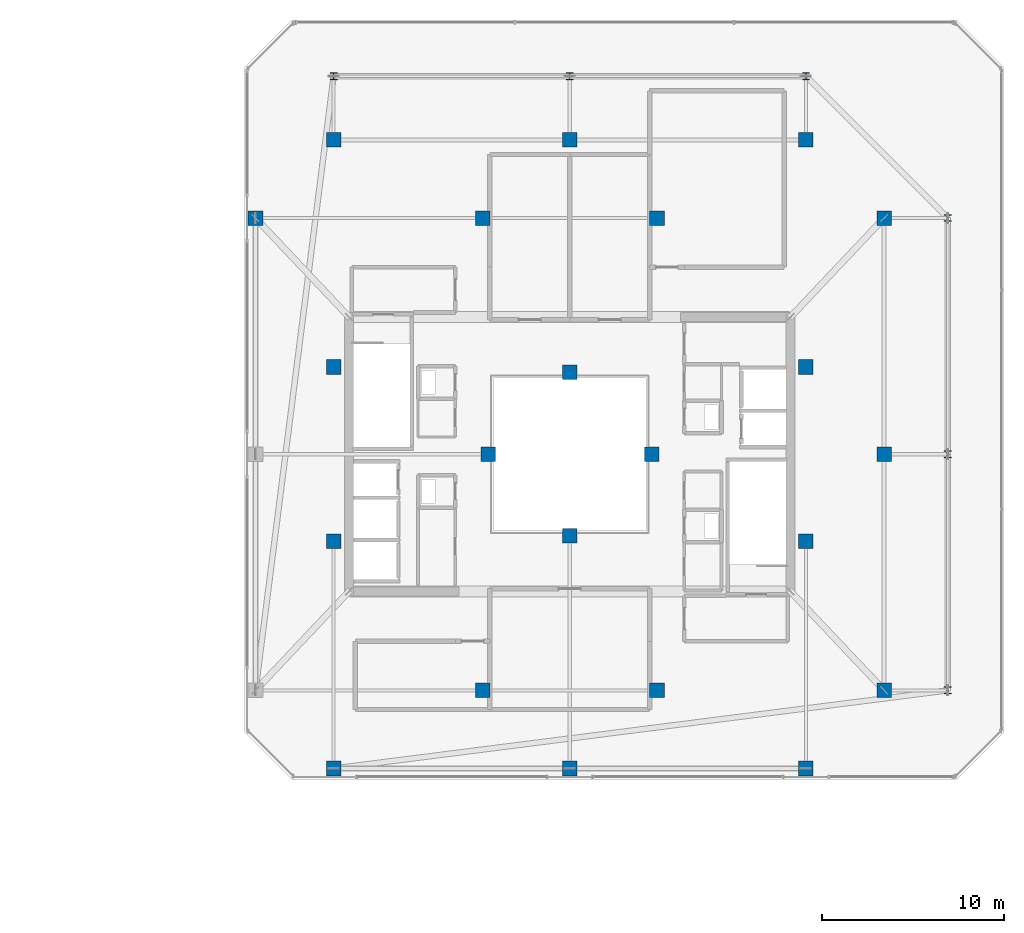
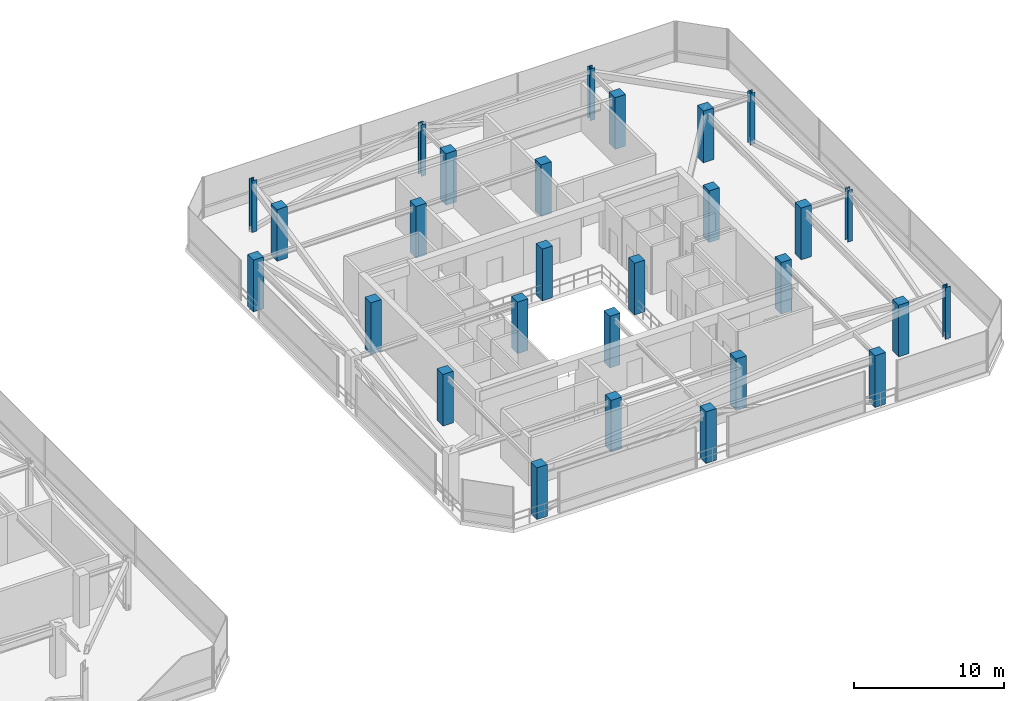
# One storey, part 4 of 47: 28 columns.
"""IFC4 building model written with IfcOpenShell, lengths in metres."""

from ifc_helpers import new_model, si_unit, direction, frame, origin, origin_2d, place, context, subcontext, project, spatial, rectangle, i_section, extrude, material, material_profile, profile_set, type_object, element, save


model = new_model("IFC4")

# Units and contexts
model_context = context("Model", 3, precision=1e-05, world=origin(), true_north=direction((0.0, 1.0)))
body_context = subcontext(model_context, "Body", "Model", "MODEL_VIEW")
ifc_project = project(units=[si_unit("LENGTHUNIT", "METRE"), si_unit("AREAUNIT", "SQUARE_METRE"), si_unit("VOLUMEUNIT", "CUBIC_METRE"), si_unit("PLANEANGLEUNIT", "RADIAN"), si_unit("MASSUNIT", "GRAM", prefix="KILO")], contexts=[model_context])

# Site, building, storey
site_placement = place(None, origin())
site = spatial("IfcSite", under=ifc_project, at=site_placement, CompositionType="ELEMENT")
building_placement = place(site_placement, origin())
building = spatial("IfcBuilding", under=site, at=building_placement, Name="Thornwick Lancets Civic Towers", CompositionType="ELEMENT")
storey_placement = place(building_placement, frame((0.0, 0.0, 279.89990234375)))
storey = spatial("IfcBuildingStorey", under=building, at=storey_placement, Name="C01", CompositionType="ELEMENT", Elevation=279.89990234375)

# Columns
ifc_material_1 = material(Name="Concrete C50/60", Category="concrete")
ifc_material_profile_1 = material_profile(ifc_material_1, rectangle(XDim=0.800048828125, YDim=0.800048828125, at=origin_2d()), Name="RC 800x800")
ifc_profile_set_1 = profile_set([ifc_material_profile_1], Name="Concrete C50/60")
column_type_1 = type_object("IfcColumnType", Name="COL_RC_800", PredefinedType="COLUMN", material=ifc_profile_set_1)
for number, where, z_axis, x_axis, name in (
    (1, (105.800048828125, 14.0, 0.0), (0.0, 0.0, 1.0), (1.0, 0.0, 0.0), "C01 Spine Mega-Column B01"),
    (2, (105.800048828125, 27.0, 0.0), (0.0, 0.0, 1.0), (1.0, 0.0, 0.0), "C01 Spine Mega-Column B02"),
    (3, (105.800048828125, 40.0, 0.0), (0.0, 0.0, 1.0), (1.0, 0.0, 0.0), "C01 Spine Mega-Column B03"),
    (4, (101.5, 44.300048828125, 0.0), (0.0, 0.0, 1.0), (1.0, 0.0, 0.0), "C01 Spine Mega-Column B04"),
    (5, (88.5, 44.300048828125, 0.0), (0.0, 0.0, 1.0), (1.0, 0.0, 0.0), "C01 Spine Mega-Column B05"),
    (6, (75.5, 44.300048828125, 0.0), (0.0, 0.0, 1.0), (1.0, 0.0, 0.0), "C01 Spine Mega-Column B06"),
    (7, (71.199951171875, 40.0, 0.0), (0.0, 0.0, 1.0), (1.0, 0.0, 0.0), "C01 Spine Mega-Column B09"),
    (8, (101.5, 9.699951171875, 0.0), (0.0, 0.0, 1.0), (1.0, 0.0, 0.0), "C01 Spine Mega-Column B10"),
    (9, (88.5, 9.699951171875, 0.0), (0.0, 0.0, 1.0), (1.0, 0.0, 0.0), "C01 Spine Mega-Column B11"),
    (10, (75.5, 9.699951171875, 0.0), (0.0, 0.0, 1.0), (1.0, 0.0, 0.0), "C01 Spine Mega-Column B12"),
    (11, (93.300048828125, 14.0, 0.0), (0.0, 0.0, 1.0), (1.0, 0.0, 0.0), "C01 Spine Mega-Column B13"),
    (12, (93.300048828125, 40.0, 0.0), (0.0, 0.0, 1.0), (1.0, 0.0, 0.0), "C01 Spine Mega-Column B14"),
    (13, (83.699951171875, 14.0, 0.0), (0.0, 0.0, 1.0), (1.0, 0.0, 0.0), "C01 Spine Mega-Column B15"),
    (14, (83.699951171875, 40.0, 0.0), (0.0, 0.0, 1.0), (1.0, 0.0, 0.0), "C01 Spine Mega-Column B16"),
    (15, (101.5, 22.199951171875, 0.0), (0.0, 0.0, 1.0), (1.0, 0.0, 0.0), "C01 Spine Mega-Column B17"),
    (16, (101.5, 31.800048828125, 0.0), (0.0, 0.0, 1.0), (1.0, 0.0, 0.0), "C01 Spine Mega-Column B18"),
    (17, (75.5, 22.199951171875, 0.0), (0.0, 0.0, 1.0), (1.0, 0.0, 0.0), "C01 Spine Mega-Column B19"),
    (18, (75.5, 31.800048828125, 0.0), (0.0, 0.0, 1.0), (1.0, 0.0, 0.0), "C01 Spine Mega-Column B20"),
    (19, (93.0, 27.0, 0.0), (0.0, 0.0, 1.0), (1.0, 0.0, 0.0), "C01 Spine Mega-Column B21"),
    (20, (84.0, 27.0, 0.0), (0.0, 0.0, 1.0), (1.0, 0.0, 0.0), "C01 Spine Mega-Column B22"),
    (21, (88.5, 22.5, 0.0), (0.0, 0.0, 1.0), (1.0, 0.0, 0.0), "C01 Spine Mega-Column B23"),
    (22, (88.5, 31.5, 0.0), (0.0, 0.0, 1.0), (1.0, 0.0, 0.0), "C01 Spine Mega-Column B24"),
):
    element("IfcColumn", number, at=place(storey_placement, frame(where, z_axis=z_axis, x_axis=x_axis)), inside=storey, type_object=column_type_1, Name=name, PredefinedType="COLUMN", context=body_context, shape_type="SweptSolid", body=[
        extrude(rectangle(XDim=0.800048828125, YDim=0.800048828125, at=origin_2d()), origin(), (0.0, 0.0, 1.0), 4.2001953125),
    ])
ifc_material_2 = material(Name="Steel S355JR", Category="steel")
ifc_material_profile_2 = material_profile(ifc_material_2, i_section(OverallWidth=0.374755859375, OverallDepth=0.37451171875, WebThickness=0.0166015625, FlangeThickness=0.027099609375, FilletRadius=0.01513671875, at=origin_2d()), Name="UKC 356x368x202")
ifc_profile_set_2 = profile_set([ifc_material_profile_2], Name="Steel S355JR")
column_type_2 = type_object("IfcColumnType", Name="COL_UKC_202", PredefinedType="COLUMN", material=ifc_profile_set_2)
for number, where, z_axis, x_axis, name in (
    (23, (109.300048828125, 14.0, 0.0), (0.0, 0.0, 1.0), (1.0, 0.0, 0.0), "C01 Block Perimeter Column B01"),
    (24, (109.300048828125, 27.0, 0.0), (0.0, 0.0, 1.0), (1.0, 0.0, 0.0), "C01 Block Perimeter Column B02"),
    (25, (109.300048828125, 40.0, 0.0), (0.0, 0.0, 1.0), (1.0, 0.0, 0.0), "C01 Block Perimeter Column B03"),
    (26, (101.5, 47.800048828125, 0.0), (0.0, 0.0, 1.0), (1.0, 0.0, 0.0), "C01 Block Perimeter Column B04"),
    (27, (88.5, 47.800048828125, 0.0), (0.0, 0.0, 1.0), (1.0, 0.0, 0.0), "C01 Block Perimeter Column B05"),
    (28, (75.5, 47.800048828125, 0.0), (0.0, 0.0, 1.0), (1.0, 0.0, 0.0), "C01 Block Perimeter Column B06"),
):
    element("IfcColumn", number, at=place(storey_placement, frame(where, z_axis=z_axis, x_axis=x_axis)), inside=storey, type_object=column_type_2, Name=name, PredefinedType="COLUMN", context=body_context, shape_type="SweptSolid", body=[
        extrude(i_section(OverallWidth=0.374755859375, OverallDepth=0.37451171875, WebThickness=0.0166015625, FlangeThickness=0.027099609375, FilletRadius=0.01513671875, at=origin_2d()), origin(), (0.0, 0.0, 1.0), 4.2001953125),
    ])

save(model, "model.ifc")
